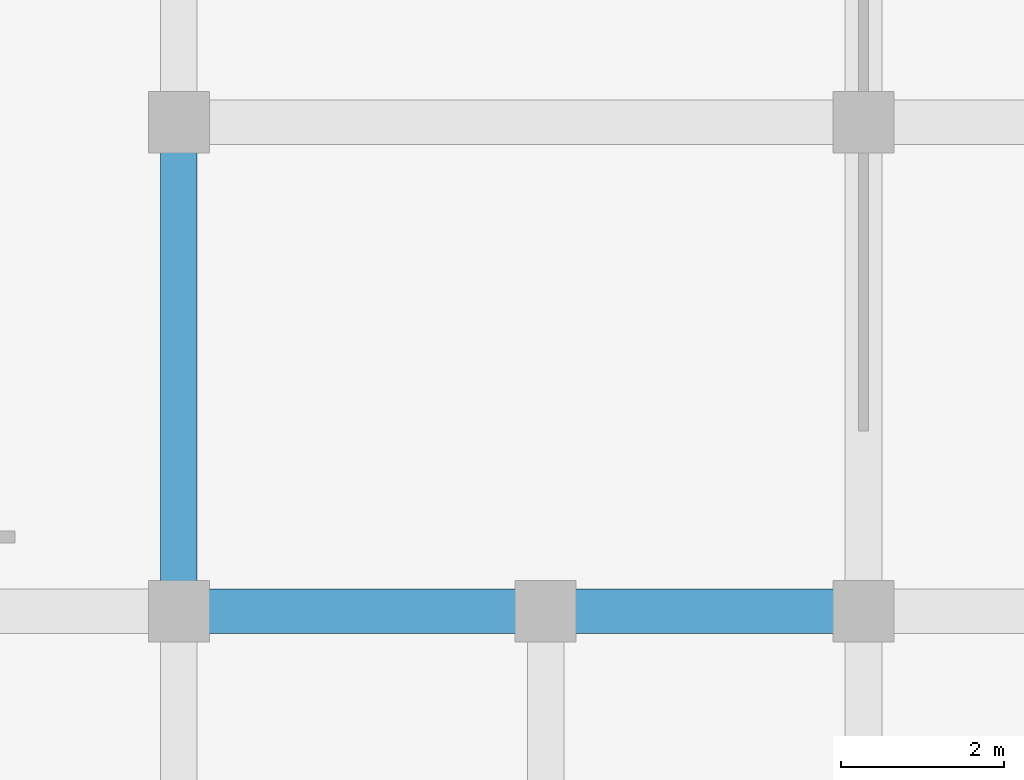
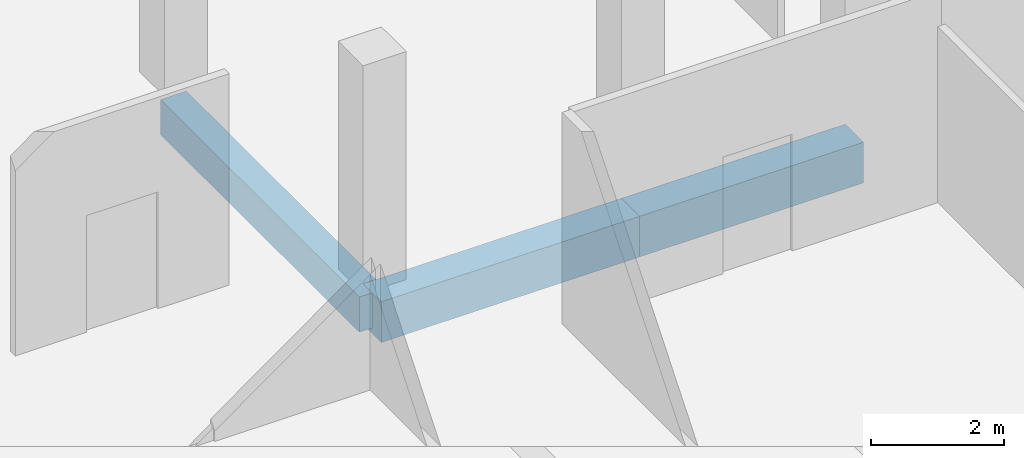
# One storey, part 91 of 184: 3 beams.
"""IFC4 building model written with IfcOpenShell, lengths in metres."""

from ifc_helpers import new_model, si_unit, direction, frame, origin, origin_2d, place, context, subcontext, project, spatial, rectangle, extrude, material, material_profile, profile_set, type_object, element, save


model = new_model("IFC4")

# Units and contexts
model_context = context("Model", 3, precision=1e-05, world=origin(), true_north=direction((0.0, 1.0)))
body_context = subcontext(model_context, "Body", "Model", "MODEL_VIEW")
ifc_project = project(units=[si_unit("LENGTHUNIT", "METRE"), si_unit("AREAUNIT", "SQUARE_METRE"), si_unit("VOLUMEUNIT", "CUBIC_METRE"), si_unit("PLANEANGLEUNIT", "RADIAN"), si_unit("MASSUNIT", "GRAM", prefix="KILO")], contexts=[model_context])

# Site, building, storey
site_placement = place(None, origin())
site = spatial("IfcSite", under=ifc_project, at=site_placement, CompositionType="ELEMENT")
building_placement = place(site_placement, origin())
building = spatial("IfcBuilding", under=site, at=building_placement, Name="Selatvlak General Hospital", CompositionType="ELEMENT")
storey_placement = place(building_placement, frame((0.0, 0.0, 15.0)))
storey = spatial("IfcBuildingStorey", under=building, at=storey_placement, Name="L03", CompositionType="ELEMENT", Elevation=15.0)

# Beams
ifc_material = material(Name="Concrete C40/50", Category="concrete")
ifc_material_profile_1 = material_profile(ifc_material, rectangle(XDim=0.550048828125, YDim=0.75, at=origin_2d()), Name="RC-BM 550x750")
ifc_profile_set_1 = profile_set([ifc_material_profile_1], Name="Concrete C40/50")
beam_type_1 = type_object("IfcBeamType", Name="BM-G02", PredefinedType="BEAM", material=ifc_profile_set_1)
beam_1_placement = place(storey_placement, frame((22.800048828125, 108.0, -0.715087890625), z_axis=(1.0, 0.0, 0.0), x_axis=(0.0, 1.0, 0.0)))
element("IfcBeam", 1, at=beam_1_placement, inside=storey, type_object=beam_type_1, Name="Beam BMR-L03-1249", PredefinedType="BEAM", context=body_context, shape_type="SweptSolid", body=[
    extrude(rectangle(XDim=0.550048828125, YDim=0.75, at=origin_2d()), origin(), (0.0, 0.0, 1.0), 4.5),
])
beam_2_placement = place(storey_placement, frame((27.300048828125, 108.0, -0.715087890625), z_axis=(1.0, 0.0, 0.0), x_axis=(0.0, 1.0, 0.0)))
element("IfcBeam", 2, at=beam_2_placement, inside=storey, type_object=beam_type_1, Name="Beam BMR-L03-1250", PredefinedType="BEAM", context=body_context, shape_type="SweptSolid", body=[
    extrude(rectangle(XDim=0.550048828125, YDim=0.75, at=origin_2d()), origin(), (0.0, 0.0, 1.0), 3.89990234375),
])
ifc_material_profile_2 = material_profile(ifc_material, rectangle(XDim=0.449951171875, YDim=0.64990234375, at=origin_2d()), Name="RC-BM 450x650")
ifc_profile_set_2 = profile_set([ifc_material_profile_2], Name="Concrete C40/50")
beam_type_2 = type_object("IfcBeamType", Name="BM-G04", PredefinedType="BEAM", material=ifc_profile_set_2)
beam_3_placement = place(storey_placement, frame((22.800048828125, 108.0, -0.6650390625), z_axis=(0.0, 1.0, 0.0), x_axis=(-1.0, 0.0, 0.0)))
element("IfcBeam", 3, at=beam_3_placement, inside=storey, type_object=beam_type_2, Name="Beam BMR-L03-1299", PredefinedType="BEAM", context=body_context, shape_type="SweptSolid", body=[
    extrude(rectangle(XDim=0.449951171875, YDim=0.64990234375, at=origin_2d()), origin(), (0.0, 0.0, 1.0), 6.0),
])

save(model, "model.ifc")
